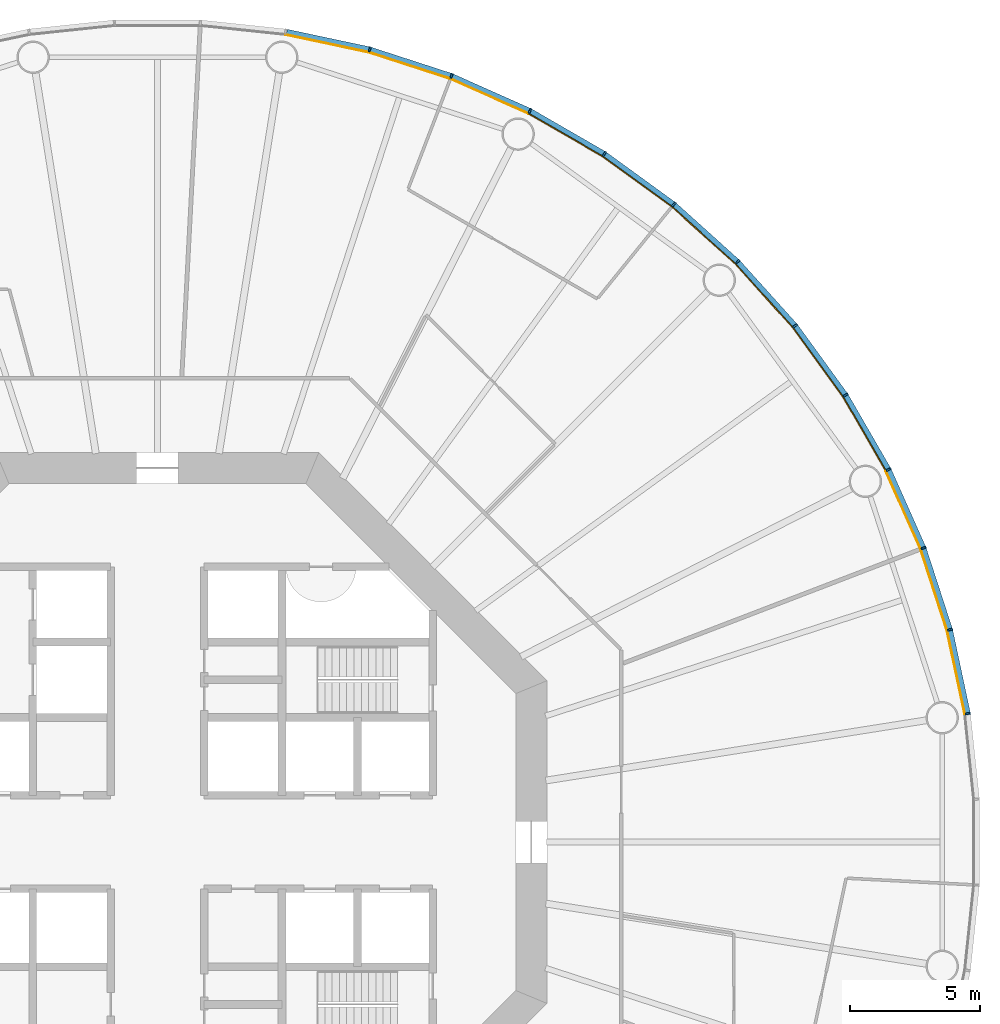
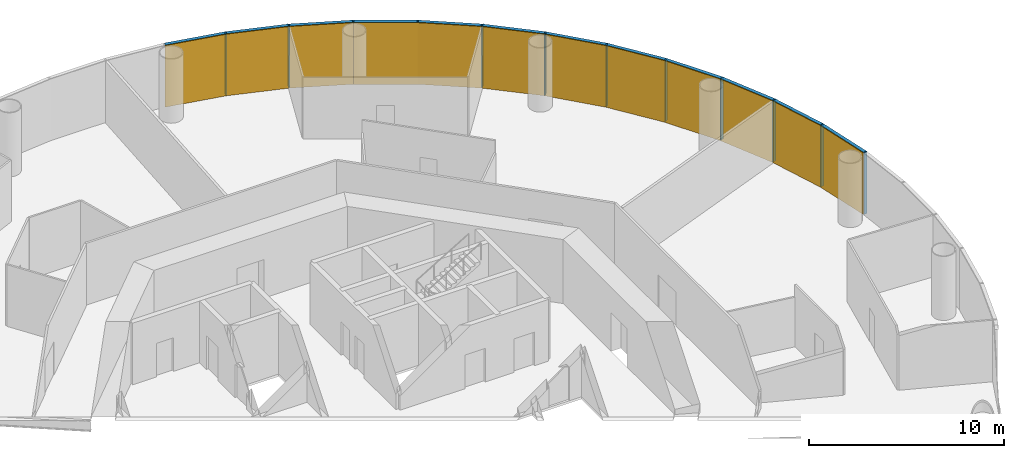
# One storey, part 12 of 13: 24 members, 4 curtain walls.
"""IFC4 building model written with IfcOpenShell, lengths in metres."""

from ifc_helpers import new_model, si_unit, direction, frame, origin, origin_2d, place, context, subcontext, project, spatial, polyline, rectangle, outline, extrude, material, layer, layer_set, material_profile, profile_set, type_object, element, aggregate, save


model = new_model("IFC4")

# Units and contexts
model_context = context("Model", 3, precision=1e-05, world=origin(), true_north=direction((0.0, 1.0)))
body_context = subcontext(model_context, "Body", "Model", "MODEL_VIEW")
ifc_project = project(units=[si_unit("LENGTHUNIT", "METRE"), si_unit("AREAUNIT", "SQUARE_METRE"), si_unit("VOLUMEUNIT", "CUBIC_METRE"), si_unit("PLANEANGLEUNIT", "RADIAN"), si_unit("MASSUNIT", "GRAM", prefix="KILO")], contexts=[model_context])

# Member
ifc_material_1 = material(Name="Anodised aluminium", Category="aluminium")
ifc_material_profile_1 = material_profile(ifc_material_1, rectangle(XDim=0.070068359375, YDim=0.199951171875, at=origin_2d()), Name="Mullion 70 x 200 mm anodised aluminium")
ifc_profile_set_1 = profile_set([ifc_material_profile_1], Name="Anodised aluminium")
member_type_1 = type_object("IfcMemberType", Name="Mullion 70 x 200 mm anodised aluminium", PredefinedType="MULLION", material=ifc_profile_set_1)
site_placement = place(None, origin())
building_placement = place(site_placement, origin())
storey_placement = place(building_placement, frame((0.0, 0.0, 84.0)))
member_1_placement = place(storey_placement, frame((121.2109375, 84.943359375, 0.0), z_axis=(0.0, 0.0, 1.0), x_axis=(-0.15643446504, 0.987688340595, 0.0)))
member_1 = element("IfcMember", 1, at=member_1_placement, type_object=member_type_1, Name="MULLION L18-00", PredefinedType="MULLION", context=body_context, shape_type="SweptSolid", body=[
    extrude(rectangle(XDim=0.070068359375, YDim=0.199951171875, at=origin_2d()), origin(), (0.0, 0.0, 1.0), 3.85009765625),
])

member_2_placement = place(storey_placement, frame((120.523193359375, 88.1787109375, 0.0), z_axis=(0.0, 0.0, 1.0), x_axis=(-0.258819045103, 0.965925826289, 0.0)))
member_2 = element("IfcMember", 2, at=member_2_placement, type_object=member_type_1, Name="MULLION L18-01", PredefinedType="MULLION", context=body_context, shape_type="SweptSolid", body=[
    extrude(rectangle(XDim=0.070068359375, YDim=0.199951171875, at=origin_2d()), origin(), (0.0, 0.0, 1.0), 3.85009765625),
])

member_3_placement = place(storey_placement, frame((119.501220703125, 91.324462890625, 0.0), z_axis=(0.0, 0.0, 1.0), x_axis=(-0.358367949545, 0.933580426497, 0.0)))
member_3 = element("IfcMember", 3, at=member_3_placement, type_object=member_type_1, Name="MULLION L18-02", PredefinedType="MULLION", context=body_context, shape_type="SweptSolid", body=[
    extrude(rectangle(XDim=0.070068359375, YDim=0.199951171875, at=origin_2d()), origin(), (0.0, 0.0, 1.0), 3.85009765625),
])

member_4_placement = place(storey_placement, frame((118.15576171875, 94.34619140625, 0.0), z_axis=(0.0, 0.0, 1.0), x_axis=(-0.45399049974, 0.891006524188, 0.0)))
member_4 = element("IfcMember", 4, at=member_4_placement, type_object=member_type_1, Name="MULLION L18-03", PredefinedType="MULLION", context=body_context, shape_type="SweptSolid", body=[
    extrude(rectangle(XDim=0.070068359375, YDim=0.199951171875, at=origin_2d()), origin(), (0.0, 0.0, 1.0), 3.85009765625),
])

member_5_placement = place(storey_placement, frame((116.501953125, 97.210693359375, 0.0), z_axis=(0.0, 0.0, 1.0), x_axis=(-0.544639035015, 0.838670567945, 0.0)))
member_5 = element("IfcMember", 5, at=member_5_placement, type_object=member_type_1, Name="MULLION L18-04", PredefinedType="MULLION", context=body_context, shape_type="SweptSolid", body=[
    extrude(rectangle(XDim=0.070068359375, YDim=0.199951171875, at=origin_2d()), origin(), (0.0, 0.0, 1.0), 3.85009765625),
])

member_6_placement = place(storey_placement, frame((114.557861328125, 99.886474609375, 0.0), z_axis=(0.0, 0.0, 1.0), x_axis=(-0.62932039105, 0.777145961457, 0.0)))
member_6 = element("IfcMember", 6, at=member_6_placement, type_object=member_type_1, Name="MULLION L18-05", PredefinedType="MULLION", context=body_context, shape_type="SweptSolid", body=[
    extrude(rectangle(XDim=0.070068359375, YDim=0.199951171875, at=origin_2d()), origin(), (0.0, 0.0, 1.0), 3.85009765625),
])

member_7_placement = place(storey_placement, frame((112.344482421875, 102.344482421875, 0.0), z_axis=(0.0, 0.0, 1.0), x_axis=(-0.707106781187, 0.707106781187, 0.0)))
member_7 = element("IfcMember", 7, at=member_7_placement, type_object=member_type_1, Name="MULLION L18-06", PredefinedType="MULLION", context=body_context, shape_type="SweptSolid", body=[
    extrude(rectangle(XDim=0.070068359375, YDim=0.199951171875, at=origin_2d()), origin(), (0.0, 0.0, 1.0), 3.85009765625),
])

member_8_placement = place(storey_placement, frame((109.886474609375, 104.557861328125, 0.0), z_axis=(0.0, 0.0, 1.0), x_axis=(-0.777145961457, 0.62932039105, 0.0)))
member_8 = element("IfcMember", 8, at=member_8_placement, type_object=member_type_1, Name="MULLION L18-07", PredefinedType="MULLION", context=body_context, shape_type="SweptSolid", body=[
    extrude(rectangle(XDim=0.070068359375, YDim=0.199951171875, at=origin_2d()), origin(), (0.0, 0.0, 1.0), 3.85009765625),
])

member_9_placement = place(storey_placement, frame((107.210693359375, 106.501953125, 0.0), z_axis=(0.0, 0.0, 1.0), x_axis=(-0.838670567945, 0.544639035015, 0.0)))
member_9 = element("IfcMember", 9, at=member_9_placement, type_object=member_type_1, Name="MULLION L18-08", PredefinedType="MULLION", context=body_context, shape_type="SweptSolid", body=[
    extrude(rectangle(XDim=0.070068359375, YDim=0.199951171875, at=origin_2d()), origin(), (0.0, 0.0, 1.0), 3.85009765625),
])

member_10_placement = place(storey_placement, frame((104.34619140625, 108.15576171875, 0.0), z_axis=(0.0, 0.0, 1.0), x_axis=(-0.891006524188, 0.45399049974, 0.0)))
member_10 = element("IfcMember", 10, at=member_10_placement, type_object=member_type_1, Name="MULLION L18-09", PredefinedType="MULLION", context=body_context, shape_type="SweptSolid", body=[
    extrude(rectangle(XDim=0.070068359375, YDim=0.199951171875, at=origin_2d()), origin(), (0.0, 0.0, 1.0), 3.85009765625),
])

member_11_placement = place(storey_placement, frame((101.324462890625, 109.501220703125, 0.0), z_axis=(0.0, 0.0, 1.0), x_axis=(-0.933580426497, 0.358367949545, 0.0)))
member_11 = element("IfcMember", 11, at=member_11_placement, type_object=member_type_1, Name="MULLION L18-10", PredefinedType="MULLION", context=body_context, shape_type="SweptSolid", body=[
    extrude(rectangle(XDim=0.070068359375, YDim=0.199951171875, at=origin_2d()), origin(), (0.0, 0.0, 1.0), 3.85009765625),
])

member_12_placement = place(storey_placement, frame((98.1787109375, 110.523193359375, 0.0), z_axis=(0.0, 0.0, 1.0), x_axis=(-0.965925826289, 0.258819045103, 0.0)))
member_12 = element("IfcMember", 12, at=member_12_placement, type_object=member_type_1, Name="MULLION L18-11", PredefinedType="MULLION", context=body_context, shape_type="SweptSolid", body=[
    extrude(rectangle(XDim=0.070068359375, YDim=0.199951171875, at=origin_2d()), origin(), (0.0, 0.0, 1.0), 3.85009765625),
])

ifc_material_2 = material(Name="Anodised aluminium", Category="aluminium")
ifc_material_profile_2 = material_profile(ifc_material_2, rectangle(XDim=0.199951171875, YDim=0.18994140625, at=origin_2d()), Name="Transom 190 x 200 mm anodised aluminium")
ifc_profile_set_2 = profile_set([ifc_material_profile_2], Name="Anodised aluminium")
member_type_2 = type_object("IfcMemberType", Name="Transom 190 x 200 mm anodised aluminium", PredefinedType="USERDEFINED", material=ifc_profile_set_2)
member_13_placement = place(storey_placement, frame((121.20263671875, 84.982666015625, 3.7548828125), z_axis=(-0.207885898771, 0.978153082647, 0.0), x_axis=(-0.978153082647, -0.207885898771, 0.0)))
member_13 = element("IfcMember", 13, at=member_13_placement, type_object=member_type_2, Name="TRANSOM L18-00", ObjectType="TRANSOM", PredefinedType="USERDEFINED", context=body_context, shape_type="SweptSolid", body=[
    extrude(rectangle(XDim=0.199951171875, YDim=0.18994140625, at=origin_2d()), origin(), (0.0, 0.0, 1.0), 3.227294921875),
])

member_14_placement = place(storey_placement, frame((120.510986328125, 88.217041015625, 3.7548828125), z_axis=(-0.309046726844, 0.951046855117, 0.0), x_axis=(-0.951046855117, -0.309046726844, 0.0)))
member_14 = element("IfcMember", 14, at=member_14_placement, type_object=member_type_2, Name="TRANSOM L18-01", ObjectType="TRANSOM", PredefinedType="USERDEFINED", context=body_context, shape_type="SweptSolid", body=[
    extrude(rectangle(XDim=0.199951171875, YDim=0.18994140625, at=origin_2d()), origin(), (0.0, 0.0, 1.0), 3.22705078125),
])

member_15_placement = place(storey_placement, frame((119.48486328125, 91.361328125, 3.7548828125), z_axis=(-0.406728032322, 0.913549291349, 0.0), x_axis=(-0.913549291349, -0.406728032322, 0.0)))
member_15 = element("IfcMember", 15, at=member_15_placement, type_object=member_type_2, Name="TRANSOM L18-02", ObjectType="TRANSOM", PredefinedType="USERDEFINED", context=body_context, shape_type="SweptSolid", body=[
    extrude(rectangle(XDim=0.199951171875, YDim=0.18994140625, at=origin_2d()), origin(), (0.0, 0.0, 1.0), 3.22705078125),
])

member_16_placement = place(storey_placement, frame((118.1357421875, 94.381103515625, 3.7548828125), z_axis=(-0.500004055213, 0.866023062494, 0.0), x_axis=(-0.866023062494, -0.500004055213, 0.0)))
member_16 = element("IfcMember", 16, at=member_16_placement, type_object=member_type_2, Name="TRANSOM L18-03", ObjectType="TRANSOM", PredefinedType="USERDEFINED", context=body_context, shape_type="SweptSolid", body=[
    extrude(rectangle(XDim=0.199951171875, YDim=0.18994140625, at=origin_2d()), origin(), (0.0, 0.0, 1.0), 3.22705078125),
])

member_17_placement = place(storey_placement, frame((116.478515625, 97.2431640625, 3.7548828125), z_axis=(-0.587802790201, 0.809004252048, 0.0), x_axis=(-0.809004252048, -0.587802790201, 0.0)))
member_17 = element("IfcMember", 17, at=member_17_placement, type_object=member_type_2, Name="TRANSOM L18-04", ObjectType="TRANSOM", PredefinedType="USERDEFINED", context=body_context, shape_type="SweptSolid", body=[
    extrude(rectangle(XDim=0.199951171875, YDim=0.18994140625, at=origin_2d()), origin(), (0.0, 0.0, 1.0), 3.227294921875),
])

member_18_placement = place(storey_placement, frame((114.531005859375, 99.91650390625, 3.7548828125), z_axis=(-0.669144438484, 0.743132370743, 0.0), x_axis=(-0.743132370743, -0.669144438484, 0.0)))
member_18 = element("IfcMember", 18, at=member_18_placement, type_object=member_type_2, Name="TRANSOM L18-05", ObjectType="TRANSOM", PredefinedType="USERDEFINED", context=body_context, shape_type="SweptSolid", body=[
    extrude(rectangle(XDim=0.199951171875, YDim=0.18994140625, at=origin_2d()), origin(), (0.0, 0.0, 1.0), 3.22705078125),
])

member_19_placement = place(storey_placement, frame((112.314697265625, 102.37158203125, 3.7548828125), z_axis=(-0.743132370743, 0.669144438484, 0.0), x_axis=(-0.669144438484, -0.743132370743, 0.0)))
member_19 = element("IfcMember", 19, at=member_19_placement, type_object=member_type_2, Name="TRANSOM L18-06", ObjectType="TRANSOM", PredefinedType="USERDEFINED", context=body_context, shape_type="SweptSolid", body=[
    extrude(rectangle(XDim=0.199951171875, YDim=0.18994140625, at=origin_2d()), origin(), (0.0, 0.0, 1.0), 3.22705078125),
])

member_20_placement = place(storey_placement, frame((109.85400390625, 104.58154296875, 3.7548828125), z_axis=(-0.809004252048, 0.587802790201, 0.0), x_axis=(-0.587802790201, -0.809004252048, 0.0)))
member_20 = element("IfcMember", 20, at=member_20_placement, type_object=member_type_2, Name="TRANSOM L18-07", ObjectType="TRANSOM", PredefinedType="USERDEFINED", context=body_context, shape_type="SweptSolid", body=[
    extrude(rectangle(XDim=0.199951171875, YDim=0.18994140625, at=origin_2d()), origin(), (0.0, 0.0, 1.0), 3.227294921875),
])

member_21_placement = place(storey_placement, frame((107.17578125, 106.522216796875, 3.7548828125), z_axis=(-0.866023062494, 0.500004055213, 0.0), x_axis=(-0.500004055213, -0.866023062494, 0.0)))
member_21 = element("IfcMember", 21, at=member_21_placement, type_object=member_type_2, Name="TRANSOM L18-08", ObjectType="TRANSOM", PredefinedType="USERDEFINED", context=body_context, shape_type="SweptSolid", body=[
    extrude(rectangle(XDim=0.199951171875, YDim=0.18994140625, at=origin_2d()), origin(), (0.0, 0.0, 1.0), 3.22705078125),
])

member_22_placement = place(storey_placement, frame((104.309326171875, 108.17236328125, 3.7548828125), z_axis=(-0.913549291349, 0.406728032322, 0.0), x_axis=(-0.406728032322, -0.913549291349, 0.0)))
member_22 = element("IfcMember", 22, at=member_22_placement, type_object=member_type_2, Name="TRANSOM L18-09", ObjectType="TRANSOM", PredefinedType="USERDEFINED", context=body_context, shape_type="SweptSolid", body=[
    extrude(rectangle(XDim=0.199951171875, YDim=0.18994140625, at=origin_2d()), origin(), (0.0, 0.0, 1.0), 3.22705078125),
])

member_23_placement = place(storey_placement, frame((101.2861328125, 109.513671875, 3.7548828125), z_axis=(-0.951046855117, 0.309046726844, 0.0), x_axis=(-0.309046726844, -0.951046855117, 0.0)))
member_23 = element("IfcMember", 23, at=member_23_placement, type_object=member_type_2, Name="TRANSOM L18-10", ObjectType="TRANSOM", PredefinedType="USERDEFINED", context=body_context, shape_type="SweptSolid", body=[
    extrude(rectangle(XDim=0.199951171875, YDim=0.18994140625, at=origin_2d()), origin(), (0.0, 0.0, 1.0), 3.22705078125),
])

member_24_placement = place(storey_placement, frame((98.139404296875, 110.53173828125, 3.7548828125), z_axis=(-0.978153082647, 0.207885898771, 0.0), x_axis=(-0.207885898771, -0.978153082647, 0.0)))
member_24 = element("IfcMember", 24, at=member_24_placement, type_object=member_type_2, Name="TRANSOM L18-11", ObjectType="TRANSOM", PredefinedType="USERDEFINED", context=body_context, shape_type="SweptSolid", body=[
    extrude(rectangle(XDim=0.199951171875, YDim=0.18994140625, at=origin_2d()), origin(), (0.0, 0.0, 1.0), 3.227294921875),
])

# Site, building, storey
site = spatial("IfcSite", under=ifc_project, at=site_placement, CompositionType="ELEMENT")
building = spatial("IfcBuilding", under=site, at=building_placement, Name="Entoto Ring Tower", CompositionType="ELEMENT")
storey = spatial("IfcBuildingStorey", under=building, at=storey_placement, Name="L18", CompositionType="ELEMENT", Elevation=84.0)

# Curtain wall
ifc_material_3 = material(Name="Clear low-iron glass", Category="glass")
ifc_layer = layer(ifc_material_3, 0.035888671875)
ifc_layer_set = layer_set([ifc_layer], Name="Clear low-iron glass")
curtain_wall_type = type_object("IfcCurtainWallType", Name="Curtain wall system CW2 glazing 36 mm", PredefinedType="NOTDEFINED", material=ifc_layer_set)
curtain_wall_1_placement = place(storey_placement, origin())
curtain_wall_1 = element("IfcCurtainWall", 25, at=curtain_wall_1_placement, inside=storey, type_object=curtain_wall_type, Name="CW2 L18-01", PredefinedType="NOTDEFINED", context=body_context, shape_type="SweptSolid", body=[
    extrude(outline(polyline([(121.1123046875, 84.927734375), (120.4267578125, 88.15283203125), (119.40771484375, 91.28857421875), (118.066650390625, 94.30078125), (118.03466796875, 94.284423828125), (119.3740234375, 91.275634765625), (120.391845703125, 88.1435546875), (121.07666015625, 84.922119140625), (121.1123046875, 84.927734375)])), origin(), (0.0, 0.0, 1.0), 3.85009765625),
])

aggregate(curtain_wall_1, [member_1, member_2, member_3, member_13, member_14, member_15])

curtain_wall_2_placement = place(storey_placement, origin())
curtain_wall_2 = element("IfcCurtainWall", 26, at=curtain_wall_2_placement, inside=storey, type_object=curtain_wall_type, Name="CW2 L18-02", PredefinedType="NOTDEFINED", context=body_context, shape_type="SweptSolid", body=[
    extrude(outline(polyline([(118.066650390625, 94.30078125), (116.418212890625, 97.15625), (114.47998046875, 99.823486328125), (112.27392578125, 102.27392578125), (112.248291015625, 102.248291015625), (114.4521484375, 99.801025390625), (116.387939453125, 97.136474609375), (118.03466796875, 94.284423828125), (118.066650390625, 94.30078125)])), origin(), (0.0, 0.0, 1.0), 3.85009765625),
])

aggregate(curtain_wall_2, [member_4, member_5, member_6, member_16, member_17, member_18])

curtain_wall_3_placement = place(storey_placement, origin())
curtain_wall_3 = element("IfcCurtainWall", 27, at=curtain_wall_3_placement, inside=storey, type_object=curtain_wall_type, Name="CW2 L18-03", PredefinedType="NOTDEFINED", context=body_context, shape_type="SweptSolid", body=[
    extrude(outline(polyline([(112.27392578125, 102.27392578125), (109.823486328125, 104.47998046875), (107.15625, 106.418212890625), (104.30078125, 108.066650390625), (104.284423828125, 108.03466796875), (107.136474609375, 106.387939453125), (109.801025390625, 104.4521484375), (112.248291015625, 102.248291015625), (112.27392578125, 102.27392578125)])), origin(), (0.0, 0.0, 1.0), 3.85009765625),
])

aggregate(curtain_wall_3, [member_7, member_8, member_9, member_19, member_20, member_21])

curtain_wall_4_placement = place(storey_placement, origin())
curtain_wall_4 = element("IfcCurtainWall", 28, at=curtain_wall_4_placement, inside=storey, type_object=curtain_wall_type, Name="CW2 L18-04", PredefinedType="NOTDEFINED", context=body_context, shape_type="SweptSolid", body=[
    extrude(outline(polyline([(104.30078125, 108.066650390625), (101.28857421875, 109.40771484375), (98.15283203125, 110.4267578125), (94.927734375, 111.1123046875), (94.922119140625, 111.07666015625), (98.1435546875, 110.391845703125), (101.275634765625, 109.3740234375), (104.284423828125, 108.03466796875), (104.30078125, 108.066650390625)])), origin(), (0.0, 0.0, 1.0), 3.85009765625),
])

aggregate(curtain_wall_4, [member_10, member_11, member_12, member_22, member_23, member_24])

save(model, "model.ifc")
